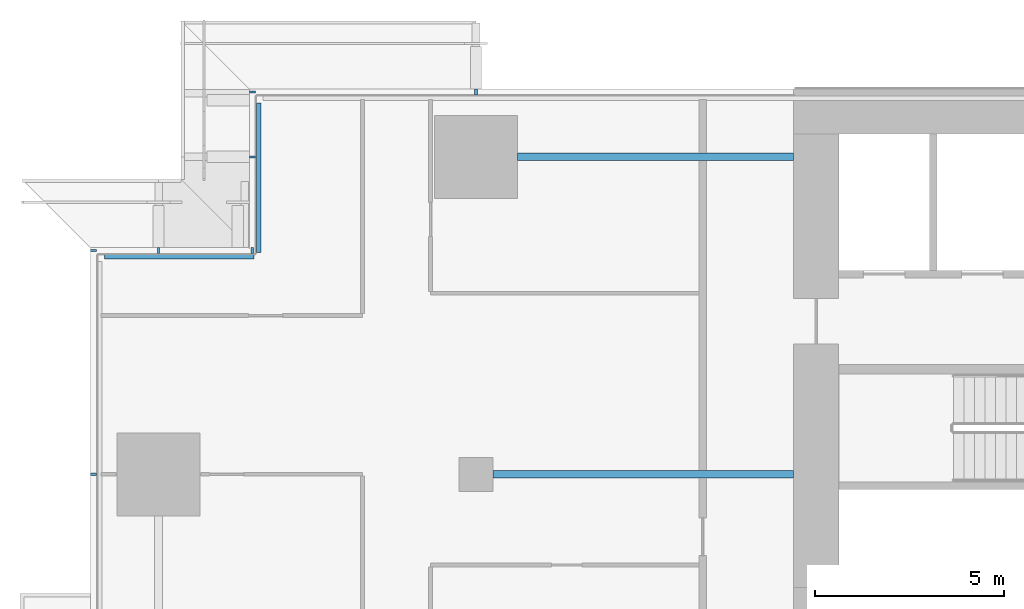
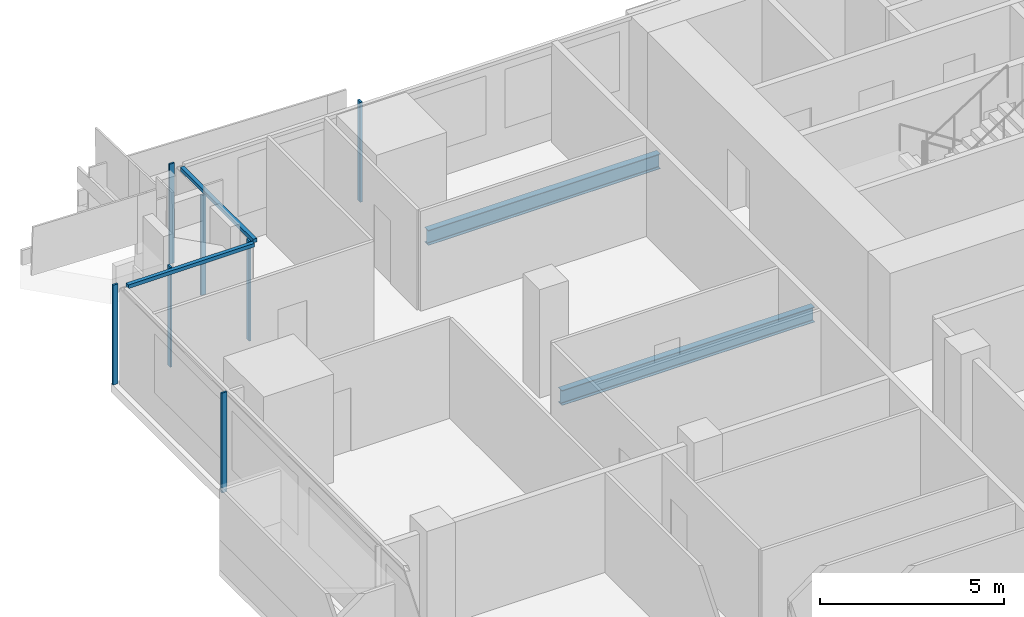
# One storey, part 8 of 29: 9 members, 2 beams, 4 elements without a shape of their own.
"""IFC4 building model written with IfcOpenShell, lengths in metres."""

from ifc_helpers import new_model, si_unit, direction, frame, origin, origin_2d, place, context, subcontext, project, spatial, rectangle, i_section, extrude, material, material_profile, profile_set, type_object, element, aggregate, save


model = new_model("IFC4")

# Units and contexts
model_context = context("Model", 3, precision=1e-05, world=origin(), true_north=direction((0.0, 1.0)))
body_context = subcontext(model_context, "Body", "Model", "MODEL_VIEW")
ifc_project = project(units=[si_unit("LENGTHUNIT", "METRE"), si_unit("AREAUNIT", "SQUARE_METRE"), si_unit("VOLUMEUNIT", "CUBIC_METRE"), si_unit("PLANEANGLEUNIT", "RADIAN"), si_unit("MASSUNIT", "GRAM", prefix="KILO")], contexts=[model_context])

# Site, building, storey
site_placement = place(None, origin())
site = spatial("IfcSite", under=ifc_project, at=site_placement, CompositionType="ELEMENT")
building_placement = place(site_placement, origin())
building = spatial("IfcBuilding", under=site, at=building_placement, Name="Saffron Gate Tower", CompositionType="ELEMENT")
storey_placement = place(building_placement, frame((0.0, 0.0, 48.0)))
storey = spatial("IfcBuildingStorey", under=building, at=storey_placement, Name="L10", CompositionType="ELEMENT", Elevation=48.0)

# Beams
ifc_material_1 = material(Name="Structural steel S355", Category="steel")
ifc_material_profile_1 = material_profile(ifc_material_1, i_section(OverallWidth=0.199951171875, OverallDepth=0.5, WebThickness=0.01025390625, FlangeThickness=0.01611328125, FilletRadius=0.02099609375, at=origin_2d()))
ifc_profile_set_1 = profile_set([ifc_material_profile_1], Name="Structural steel S355")
beam_type = type_object("IfcBeamType", Name="B10 IPE 500", PredefinedType="BEAM", material=ifc_profile_set_1)
beam_1_placement = place(storey_placement, frame((58.64990234375, 65.39990234375, -0.530029296875), z_axis=(1.0, 0.0, 0.0), x_axis=(0.0, 1.0, 0.0)))
element("IfcBeam", 1, at=beam_1_placement, inside=storey, type_object=beam_type, Name="B10 CORE TIE BEAM", PredefinedType="BEAM", context=body_context, shape_type="SweptSolid", body=[
    extrude(i_section(OverallWidth=0.199951171875, OverallDepth=0.5, WebThickness=0.01025390625, FlangeThickness=0.01611328125, FilletRadius=0.02099609375, at=origin_2d()), origin(), (0.0, 0.0, 1.0), 7.9501953125),
])
beam_2_placement = place(storey_placement, frame((59.300048828125, 73.800048828125, -0.530029296875), z_axis=(1.0, 0.0, 0.0), x_axis=(0.0, 1.0, 0.0)))
element("IfcBeam", 2, at=beam_2_placement, inside=storey, type_object=beam_type, Name="B10 CORE TIE BEAM", PredefinedType="BEAM", context=body_context, shape_type="SweptSolid", body=[
    extrude(i_section(OverallWidth=0.199951171875, OverallDepth=0.5, WebThickness=0.01025390625, FlangeThickness=0.01611328125, FilletRadius=0.02099609375, at=origin_2d()), origin(), (0.0, 0.0, 1.0), 7.300048828125),
])

# Curtain wall, members
ifc_material_2 = material(Name="Aluminium, bronze anodised", Category="aluminium")
curtain_wall_type_1 = type_object("IfcCurtainWallType", Name="CWS2 curtain wall side facades", PredefinedType="NOTDEFINED", material=ifc_material_2)
curtain_wall_1_placement = place(storey_placement, origin())
curtain_wall_1 = element("IfcCurtainWall", 3, at=curtain_wall_1_placement, inside=storey, type_object=curtain_wall_type_1, Name="CWS2 run 10", PredefinedType="NOTDEFINED")
ifc_material_profile_2 = material_profile(ifc_material_2, rectangle(XDim=0.159912109375, YDim=0.06005859375, at=origin_2d()))
ifc_profile_set_2 = profile_set([ifc_material_profile_2], Name="Aluminium, bronze anodised")
member_type_1 = type_object("IfcMemberType", Name="CWS2 mullion 60x160", PredefinedType="MULLION", material=ifc_profile_set_2)
member_1_placement = place(storey_placement, frame((48.080078125, 71.320068359375, 0.0), z_axis=(0.0, 0.0, 1.0), x_axis=(1.0, 0.0, 0.0)))
member_1 = element("IfcMember", 4, at=member_1_placement, type_object=member_type_1, Name="CWS2 mullion 1", PredefinedType="MULLION", context=body_context, shape_type="SweptSolid", body=[
    extrude(rectangle(XDim=0.159912109375, YDim=0.06005859375, at=origin_2d()), origin(), (0.0, 0.0, 1.0), 3.320068359375),
])
member_2_placement = place(storey_placement, frame((48.080078125, 65.39990234375, 0.0), z_axis=(0.0, 0.0, 1.0), x_axis=(1.0, 0.0, 0.0)))
member_2 = element("IfcMember", 5, at=member_2_placement, type_object=member_type_1, Name="CWS2 mullion 2", PredefinedType="MULLION", context=body_context, shape_type="SweptSolid", body=[
    extrude(rectangle(XDim=0.159912109375, YDim=0.06005859375, at=origin_2d()), origin(), (0.0, 0.0, 1.0), 3.320068359375),
])
aggregate(curtain_wall_1, [member_1, member_2])

# Curtain wall, member
curtain_wall_type_2 = type_object("IfcCurtainWallType", Name="CWS3 curtain wall rear facade", PredefinedType="NOTDEFINED", material=ifc_material_2)
curtain_wall_2_placement = place(storey_placement, origin())
curtain_wall_2 = element("IfcCurtainWall", 6, at=curtain_wall_2_placement, inside=storey, type_object=curtain_wall_type_2, Name="CWS3 run 7", PredefinedType="NOTDEFINED")
ifc_material_profile_3 = material_profile(ifc_material_2, rectangle(XDim=0.159912109375, YDim=0.070068359375, at=origin_2d()))
ifc_profile_set_3 = profile_set([ifc_material_profile_3], Name="Aluminium, bronze anodised")
member_type_2 = type_object("IfcMemberType", Name="CWS3 mullion 70x160", PredefinedType="MULLION", material=ifc_profile_set_3)
member_3_placement = place(storey_placement, frame((58.199951171875, 75.52001953125, 0.0), z_axis=(0.0, 0.0, 1.0), x_axis=(0.0, -1.0, 0.0)))
member_3 = element("IfcMember", 7, at=member_3_placement, type_object=member_type_2, Name="CWS3 mullion 9", PredefinedType="MULLION", context=body_context, shape_type="SweptSolid", body=[
    extrude(rectangle(XDim=0.159912109375, YDim=0.070068359375, at=origin_2d()), origin(), (0.0, 0.0, 1.0), 3.320068359375),
])
aggregate(curtain_wall_2, [member_3])

curtain_wall_type_3 = type_object("IfcCurtainWallType", Name="CWS4 curtain wall corner returns", PredefinedType="NOTDEFINED", material=ifc_material_2)
curtain_wall_3_placement = place(storey_placement, origin())
curtain_wall_3 = element("IfcCurtainWall", 8, at=curtain_wall_3_placement, inside=storey, type_object=curtain_wall_type_3, Name="CWS4 run 8", PredefinedType="NOTDEFINED")
ifc_material_profile_4 = material_profile(ifc_material_2, rectangle(XDim=0.1201171875, YDim=0.1201171875, at=origin_2d()))
ifc_profile_set_4 = profile_set([ifc_material_profile_4], Name="Aluminium, bronze anodised")
member_type_3 = type_object("IfcMemberType", Name="CWS4 head transom", PredefinedType="USERDEFINED", material=ifc_profile_set_4)
member_4_placement = place(storey_placement, frame((52.447998046875, 75.23193359375, 3.260009765625), z_axis=(0.0, -1.0, 0.0), x_axis=(1.0, 0.0, 0.0)))
member_4 = element("IfcMember", 9, at=member_4_placement, type_object=member_type_3, Name="CWS4 head transom", ObjectType="TRANSOM", PredefinedType="USERDEFINED", context=body_context, shape_type="SweptSolid", body=[
    extrude(rectangle(XDim=0.1201171875, YDim=0.1201171875, at=origin_2d()), origin(), (0.0, 0.0, 1.0), 3.9599609375),
])

curtain_wall_4_placement = place(storey_placement, origin())
curtain_wall_4 = element("IfcCurtainWall", 10, at=curtain_wall_4_placement, inside=storey, type_object=curtain_wall_type_3, Name="CWS4 run 9", PredefinedType="NOTDEFINED")
member_5_placement = place(storey_placement, frame((52.327880859375, 71.152099609375, 3.260009765625), z_axis=(-1.0, 0.0, 0.0), x_axis=(0.0, -1.0, 0.0)))
member_5 = element("IfcMember", 11, at=member_5_placement, type_object=member_type_3, Name="CWS4 head transom", ObjectType="TRANSOM", PredefinedType="USERDEFINED", context=body_context, shape_type="SweptSolid", body=[
    extrude(rectangle(XDim=0.1201171875, YDim=0.1201171875, at=origin_2d()), origin(), (0.0, 0.0, 1.0), 3.9599609375),
])

# Member
ifc_material_profile_5 = material_profile(ifc_material_2, rectangle(XDim=0.159912109375, YDim=0.06005859375, at=origin_2d()))
ifc_profile_set_5 = profile_set([ifc_material_profile_5], Name="Aluminium, bronze anodised")
member_type_4 = type_object("IfcMemberType", Name="CWS4 mullion 60x160", PredefinedType="MULLION", material=ifc_profile_set_5)
member_6_placement = place(storey_placement, frame((52.280029296875, 75.52001953125, 0.0), z_axis=(0.0, 0.0, 1.0), x_axis=(1.0, 0.0, 0.0)))
member_6 = element("IfcMember", 12, at=member_6_placement, type_object=member_type_4, Name="CWS4 mullion 1", PredefinedType="MULLION", context=body_context, shape_type="SweptSolid", body=[
    extrude(rectangle(XDim=0.159912109375, YDim=0.06005859375, at=origin_2d()), origin(), (0.0, 0.0, 1.0), 3.320068359375),
])

member_7_placement = place(storey_placement, frame((52.280029296875, 73.800048828125, 0.0), z_axis=(0.0, 0.0, 1.0), x_axis=(1.0, 0.0, 0.0)))
member_7 = element("IfcMember", 13, at=member_7_placement, type_object=member_type_4, Name="CWS4 mullion 2", PredefinedType="MULLION", context=body_context, shape_type="SweptSolid", body=[
    extrude(rectangle(XDim=0.159912109375, YDim=0.06005859375, at=origin_2d()), origin(), (0.0, 0.0, 1.0), 3.320068359375),
])

aggregate(curtain_wall_3, [member_6, member_7, member_4])

member_8_placement = place(storey_placement, frame((52.280029296875, 71.320068359375, 0.0), z_axis=(0.0, 0.0, 1.0), x_axis=(0.0, -1.0, 0.0)))
member_8 = element("IfcMember", 14, at=member_8_placement, type_object=member_type_4, Name="CWS4 mullion 1", PredefinedType="MULLION", context=body_context, shape_type="SweptSolid", body=[
    extrude(rectangle(XDim=0.159912109375, YDim=0.06005859375, at=origin_2d()), origin(), (0.0, 0.0, 1.0), 3.320068359375),
])

member_9_placement = place(storey_placement, frame((49.800048828125, 71.320068359375, 0.0), z_axis=(0.0, 0.0, 1.0), x_axis=(0.0, -1.0, 0.0)))
member_9 = element("IfcMember", 15, at=member_9_placement, type_object=member_type_4, Name="CWS4 mullion 2", PredefinedType="MULLION", context=body_context, shape_type="SweptSolid", body=[
    extrude(rectangle(XDim=0.159912109375, YDim=0.06005859375, at=origin_2d()), origin(), (0.0, 0.0, 1.0), 3.320068359375),
])

aggregate(curtain_wall_4, [member_8, member_9, member_5])

save(model, "model.ifc")
